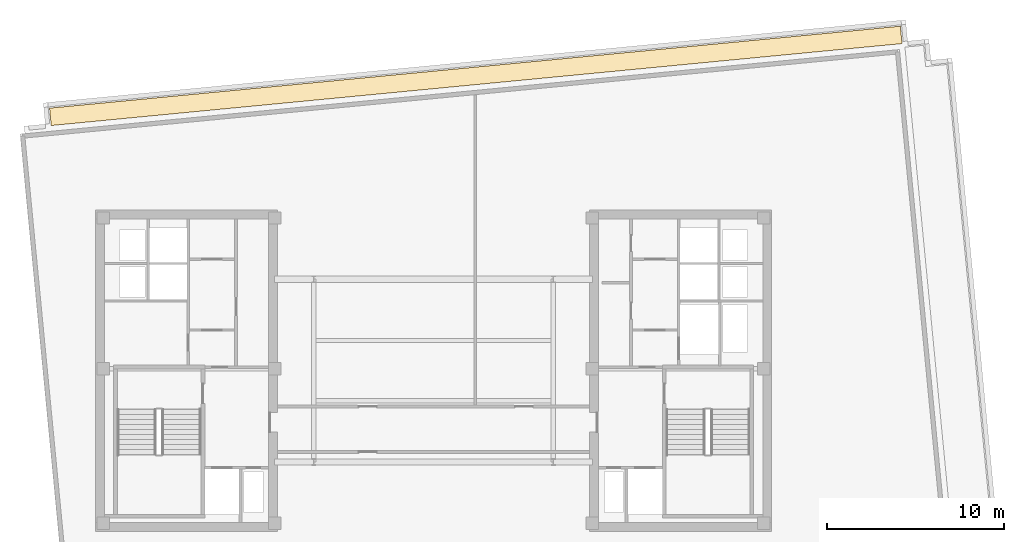
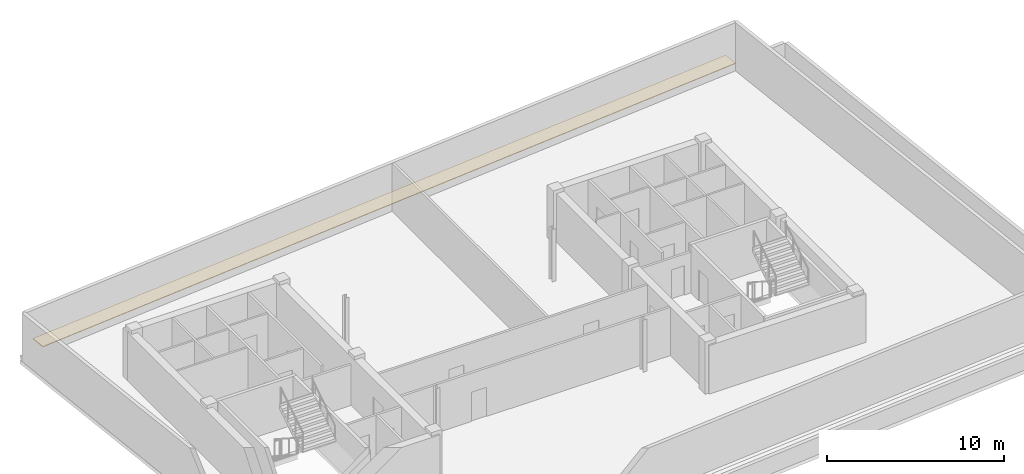
# One storey, part 8 of 8: 1 covering.
"""IFC4 building model written with IfcOpenShell, lengths in metres."""

from ifc_helpers import new_model, si_unit, direction, frame, origin, place, context, subcontext, project, spatial, polyline, outline, extrude, material, layer, layer_set, type_object, element, save


model = new_model("IFC4")

# Units and contexts
model_context = context("Model", 3, precision=1e-05, world=origin(), true_north=direction((0.0, 1.0)))
body_context = subcontext(model_context, "Body", "Model", "MODEL_VIEW")
ifc_project = project(units=[si_unit("LENGTHUNIT", "METRE"), si_unit("AREAUNIT", "SQUARE_METRE"), si_unit("VOLUMEUNIT", "CUBIC_METRE"), si_unit("PLANEANGLEUNIT", "RADIAN"), si_unit("MASSUNIT", "GRAM", prefix="KILO")], contexts=[model_context])

# Site, building, storey
site_placement = place(None, origin())
site = spatial("IfcSite", under=ifc_project, at=site_placement, CompositionType="ELEMENT")
building_placement = place(site_placement, origin())
building = spatial("IfcBuilding", under=site, at=building_placement, Name="Velakula Bourse", CompositionType="ELEMENT")
storey_placement = place(building_placement, frame((0.0, 0.0, 286.949951171875)))
storey = spatial("IfcBuildingStorey", under=building, at=storey_placement, Name="L78", CompositionType="ELEMENT", Elevation=286.949951171875)

# Covering
ifc_material = material(Name="Modified bitumen SBS waterproofing membrane", Category="bitumen")
ifc_layer = layer(ifc_material, 0.044921875, Name="Modified bitumen SBS waterproofing membrane", Category="bitumen")
ifc_layer_set = layer_set([ifc_layer], Name="Modified bitumen SBS waterproofing membrane")
covering_type = type_object("IfcCoveringType", Name="COV-ROOF-SBS-45", PredefinedType="ROOFING", material=ifc_layer_set)
covering_placement = place(storey_placement, origin())
element("IfcCovering", 1, at=covering_placement, inside=storey, type_object=covering_type, Name="L78 SBS Waterproofing Roof Membrane 1", PredefinedType="ROOFING", context=body_context, shape_type="SweptSolid", body=[
    extrude(outline(polyline([(-21.54052734375, 13.8115234375), (-21.635009765625, 14.7919921875), (26.30322265625, 19.407958984375), (26.397705078125, 18.427490234375), (-21.54052734375, 13.8115234375)])), origin(), (0.0, 0.0, 1.0), 0.045166015625),
])

save(model, "model.ifc")
